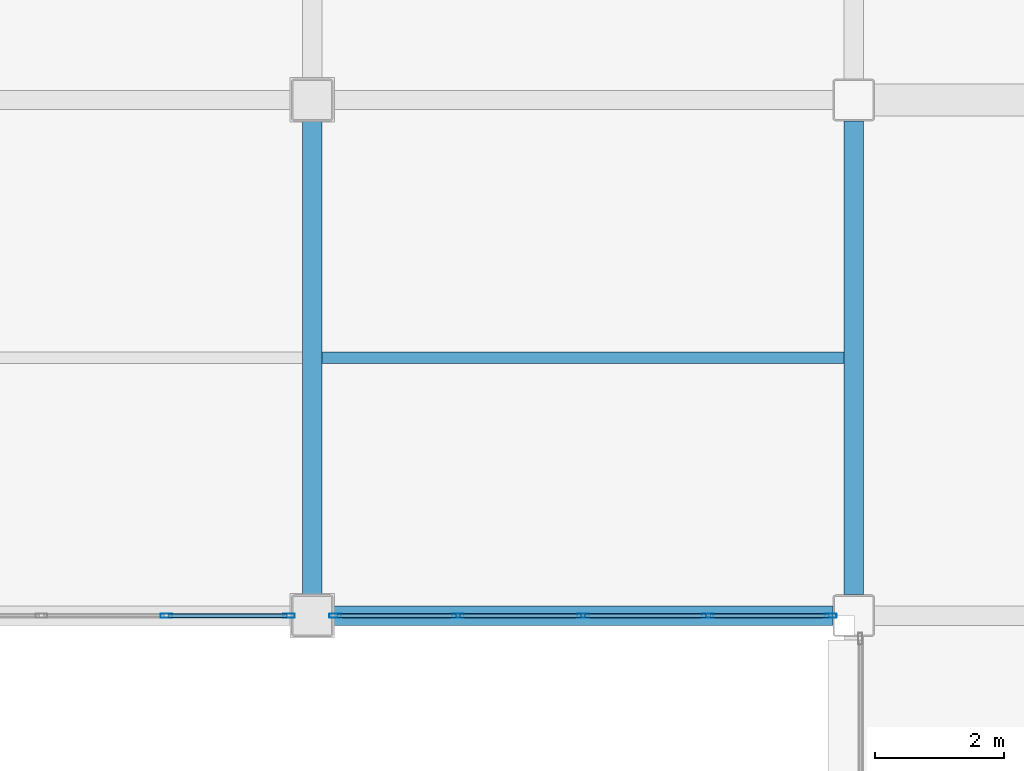
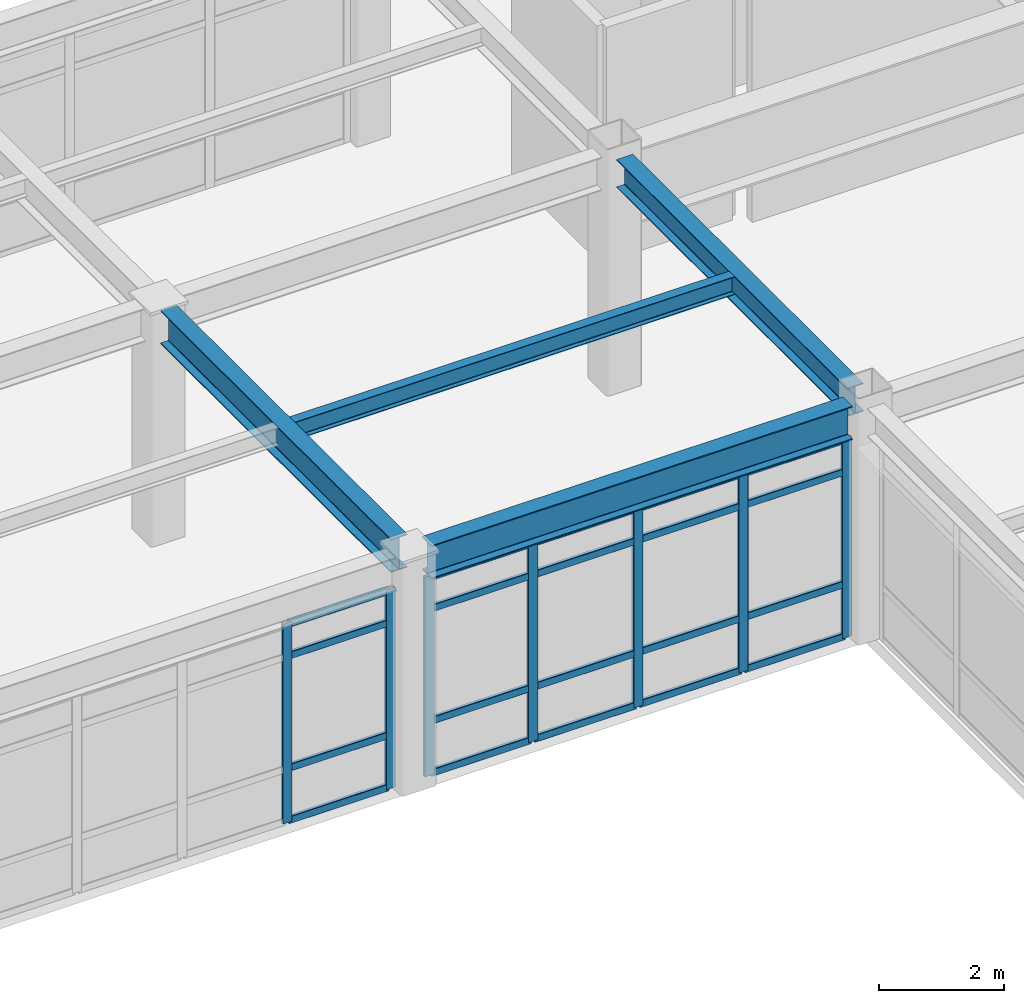
# One storey, part 50 of 93: 27 members, 4 beams, 2 elements without a shape of their own.
"""IFC4 building model written with IfcOpenShell, lengths in metres."""

from ifc_helpers import new_model, si_unit, direction, frame, origin, origin_2d, place, context, subcontext, project, spatial, hollow_rectangle, i_section, extrude, material, layer, layer_set, material_profile, profile_set, type_object, element, aggregate, save


model = new_model("IFC4")

# Units and contexts
model_context = context("Model", 3, precision=1e-05, world=origin(), true_north=direction((0.0, 1.0)))
body_context = subcontext(model_context, "Body", "Model", "MODEL_VIEW")
ifc_project = project(units=[si_unit("LENGTHUNIT", "METRE"), si_unit("AREAUNIT", "SQUARE_METRE"), si_unit("VOLUMEUNIT", "CUBIC_METRE"), si_unit("PLANEANGLEUNIT", "RADIAN"), si_unit("MASSUNIT", "GRAM", prefix="KILO")], contexts=[model_context])

# Site, building, storey
site_placement = place(None, origin())
site = spatial("IfcSite", under=ifc_project, at=site_placement, CompositionType="ELEMENT")
building_placement = place(site_placement, origin())
building = spatial("IfcBuilding", under=site, at=building_placement, Name="Kazehara Bluff Congress Hotel", CompositionType="ELEMENT")
storey_placement = place(building_placement, frame((0.0, 0.0, 15.0)))
storey = spatial("IfcBuildingStorey", under=building, at=storey_placement, Name="L03", CompositionType="ELEMENT", Elevation=15.0)

# Curtain wall, members
ifc_material_1 = material(Name="Anodised aluminium", Category="aluminium")
ifc_layer = layer(ifc_material_1, 0.159912109375)
ifc_layer_set = layer_set([ifc_layer], Name="Anodised aluminium")
curtain_wall_type = type_object("IfcCurtainWallType", Name="TP-CW-24", PredefinedType="NOTDEFINED", material=ifc_layer_set)
curtain_wall_1_placement = place(storey_placement, origin())
curtain_wall_1 = element("IfcCurtainWall", 1, at=curtain_wall_1_placement, inside=storey, type_object=curtain_wall_type, Name="L03 curtain wall CW-24 CW-V5-L03-Y1600-12722", PredefinedType="NOTDEFINED")
ifc_material_2 = material(Name="Anodised aluminium", Category="aluminium")
ifc_material_profile_1 = material_profile(ifc_material_2, hollow_rectangle(XDim=0.06494140625, YDim=0.179931640625, WallThickness=0.00390625, InnerFilletRadius=0.00390625, OuterFilletRadius=0.008056640625, at=origin_2d()))
ifc_profile_set_1 = profile_set([ifc_material_profile_1], Name="Anodised aluminium")
member_type_1 = type_object("IfcMemberType", Name="TP-CWM-02", PredefinedType="MULLION", material=ifc_profile_set_1)
member_1_placement = place(storey_placement, frame((133.03759765625, 16.0, 0.0), z_axis=(0.0, 0.0, 1.0), x_axis=(0.0, 1.0, 0.0)))
member_1 = element("IfcMember", 2, at=member_1_placement, type_object=member_type_1, Name="CW-24 mullion 4", PredefinedType="MULLION", context=body_context, shape_type="SweptSolid", body=[
    extrude(hollow_rectangle(XDim=0.06494140625, YDim=0.179931640625, WallThickness=0.00390625, InnerFilletRadius=0.00390625, OuterFilletRadius=0.008056640625, at=origin_2d()), origin(), (0.0, 0.0, 1.0), 3.885009765625),
])
member_2_placement = place(storey_placement, frame((134.9423828125, 16.0, 0.0), z_axis=(0.0, 0.0, 1.0), x_axis=(0.0, 1.0, 0.0)))
member_2 = element("IfcMember", 3, at=member_2_placement, type_object=member_type_1, Name="CW-24 mullion 5", PredefinedType="MULLION", context=body_context, shape_type="SweptSolid", body=[
    extrude(hollow_rectangle(XDim=0.06494140625, YDim=0.179931640625, WallThickness=0.00390625, InnerFilletRadius=0.00390625, OuterFilletRadius=0.008056640625, at=origin_2d()), origin(), (0.0, 0.0, 1.0), 3.885009765625),
])

curtain_wall_2_placement = place(storey_placement, origin())
curtain_wall_2 = element("IfcCurtainWall", 4, at=curtain_wall_2_placement, inside=storey, type_object=curtain_wall_type, Name="L03 curtain wall CW-24 CW-V5-L03-Y1600-13562", PredefinedType="NOTDEFINED")
member_3_placement = place(storey_placement, frame((135.657470703125, 16.0, 0.0), z_axis=(0.0, 0.0, 1.0), x_axis=(0.0, 1.0, 0.0)))
member_3 = element("IfcMember", 5, at=member_3_placement, type_object=member_type_1, Name="CW-24 mullion 1", PredefinedType="MULLION", context=body_context, shape_type="SweptSolid", body=[
    extrude(hollow_rectangle(XDim=0.06494140625, YDim=0.179931640625, WallThickness=0.00390625, InnerFilletRadius=0.00390625, OuterFilletRadius=0.008056640625, at=origin_2d()), origin(), (0.0, 0.0, 1.0), 3.885009765625),
])
member_4_placement = place(storey_placement, frame((137.5625, 16.0, 0.0), z_axis=(0.0, 0.0, 1.0), x_axis=(0.0, 1.0, 0.0)))
member_4 = element("IfcMember", 6, at=member_4_placement, type_object=member_type_1, Name="CW-24 mullion 2", PredefinedType="MULLION", context=body_context, shape_type="SweptSolid", body=[
    extrude(hollow_rectangle(XDim=0.06494140625, YDim=0.179931640625, WallThickness=0.00390625, InnerFilletRadius=0.00390625, OuterFilletRadius=0.008056640625, at=origin_2d()), origin(), (0.0, 0.0, 1.0), 3.885009765625),
])
member_5_placement = place(storey_placement, frame((139.5, 16.0, 0.0), z_axis=(0.0, 0.0, 1.0), x_axis=(0.0, 1.0, 0.0)))
member_5 = element("IfcMember", 7, at=member_5_placement, type_object=member_type_1, Name="CW-24 mullion 3", PredefinedType="MULLION", context=body_context, shape_type="SweptSolid", body=[
    extrude(hollow_rectangle(XDim=0.06494140625, YDim=0.179931640625, WallThickness=0.00390625, InnerFilletRadius=0.00390625, OuterFilletRadius=0.008056640625, at=origin_2d()), origin(), (0.0, 0.0, 1.0), 3.885009765625),
])
member_6_placement = place(storey_placement, frame((141.4375, 16.0, 0.0), z_axis=(0.0, 0.0, 1.0), x_axis=(0.0, 1.0, 0.0)))
member_6 = element("IfcMember", 8, at=member_6_placement, type_object=member_type_1, Name="CW-24 mullion 4", PredefinedType="MULLION", context=body_context, shape_type="SweptSolid", body=[
    extrude(hollow_rectangle(XDim=0.06494140625, YDim=0.179931640625, WallThickness=0.00390625, InnerFilletRadius=0.00390625, OuterFilletRadius=0.008056640625, at=origin_2d()), origin(), (0.0, 0.0, 1.0), 3.885009765625),
])
member_7_placement = place(storey_placement, frame((143.342529296875, 16.0, 0.0), z_axis=(0.0, 0.0, 1.0), x_axis=(0.0, 1.0, 0.0)))
member_7 = element("IfcMember", 9, at=member_7_placement, type_object=member_type_1, Name="CW-24 mullion 5", PredefinedType="MULLION", context=body_context, shape_type="SweptSolid", body=[
    extrude(hollow_rectangle(XDim=0.06494140625, YDim=0.179931640625, WallThickness=0.00390625, InnerFilletRadius=0.00390625, OuterFilletRadius=0.008056640625, at=origin_2d()), origin(), (0.0, 0.0, 1.0), 3.885009765625),
])

# Member
ifc_material_3 = material(Name="Anodised aluminium", Category="aluminium")
ifc_material_profile_2 = material_profile(ifc_material_3, hollow_rectangle(XDim=0.06494140625, YDim=0.139892578125, WallThickness=0.00390625, InnerFilletRadius=0.00390625, OuterFilletRadius=0.008056640625, at=origin_2d()))
ifc_profile_set_2 = profile_set([ifc_material_profile_2], Name="Anodised aluminium")
member_type_2 = type_object("IfcMemberType", Name="TP-CWT-02", PredefinedType="USERDEFINED", material=ifc_profile_set_2)
member_8_placement = place(storey_placement, frame((133.070068359375, 16.0, 0.032470703125), z_axis=(1.0, 0.0, 0.0), x_axis=(0.0, 1.0, 0.0)))
member_8 = element("IfcMember", 10, at=member_8_placement, type_object=member_type_2, Name="CW-24 transom 4.1", ObjectType="TRANSOM", PredefinedType="USERDEFINED", context=body_context, shape_type="SweptSolid", body=[
    extrude(hollow_rectangle(XDim=0.06494140625, YDim=0.139892578125, WallThickness=0.00390625, InnerFilletRadius=0.00390625, OuterFilletRadius=0.008056640625, at=origin_2d()), origin(), (0.0, 0.0, 1.0), 1.83984375),
])

member_9_placement = place(storey_placement, frame((133.070068359375, 16.0, 1.050048828125), z_axis=(1.0, 0.0, 0.0), x_axis=(0.0, 1.0, 0.0)))
member_9 = element("IfcMember", 11, at=member_9_placement, type_object=member_type_2, Name="CW-24 transom 4.2", ObjectType="TRANSOM", PredefinedType="USERDEFINED", context=body_context, shape_type="SweptSolid", body=[
    extrude(hollow_rectangle(XDim=0.06494140625, YDim=0.139892578125, WallThickness=0.00390625, InnerFilletRadius=0.00390625, OuterFilletRadius=0.008056640625, at=origin_2d()), origin(), (0.0, 0.0, 1.0), 1.83984375),
])

member_10_placement = place(storey_placement, frame((133.070068359375, 16.0, 3.235107421875), z_axis=(1.0, 0.0, 0.0), x_axis=(0.0, 1.0, 0.0)))
member_10 = element("IfcMember", 12, at=member_10_placement, type_object=member_type_2, Name="CW-24 transom 4.3", ObjectType="TRANSOM", PredefinedType="USERDEFINED", context=body_context, shape_type="SweptSolid", body=[
    extrude(hollow_rectangle(XDim=0.06494140625, YDim=0.139892578125, WallThickness=0.00390625, InnerFilletRadius=0.00390625, OuterFilletRadius=0.008056640625, at=origin_2d()), origin(), (0.0, 0.0, 1.0), 1.83984375),
])

member_11_placement = place(storey_placement, frame((133.070068359375, 16.0, 3.8525390625), z_axis=(1.0, 0.0, 0.0), x_axis=(0.0, 1.0, 0.0)))
member_11 = element("IfcMember", 13, at=member_11_placement, type_object=member_type_2, Name="CW-24 transom 4.4", ObjectType="TRANSOM", PredefinedType="USERDEFINED", context=body_context, shape_type="SweptSolid", body=[
    extrude(hollow_rectangle(XDim=0.06494140625, YDim=0.139892578125, WallThickness=0.00390625, InnerFilletRadius=0.00390625, OuterFilletRadius=0.008056640625, at=origin_2d()), origin(), (0.0, 0.0, 1.0), 1.83984375),
])

aggregate(curtain_wall_1, [member_1, member_2, member_8, member_9, member_10, member_11])

member_12_placement = place(storey_placement, frame((135.68994140625, 16.0, 0.032470703125), z_axis=(1.0, 0.0, 0.0), x_axis=(0.0, 1.0, 0.0)))
member_12 = element("IfcMember", 14, at=member_12_placement, type_object=member_type_2, Name="CW-24 transom 1.1", ObjectType="TRANSOM", PredefinedType="USERDEFINED", context=body_context, shape_type="SweptSolid", body=[
    extrude(hollow_rectangle(XDim=0.06494140625, YDim=0.139892578125, WallThickness=0.00390625, InnerFilletRadius=0.00390625, OuterFilletRadius=0.008056640625, at=origin_2d()), origin(), (0.0, 0.0, 1.0), 1.840087890625),
])

member_13_placement = place(storey_placement, frame((135.68994140625, 16.0, 1.050048828125), z_axis=(1.0, 0.0, 0.0), x_axis=(0.0, 1.0, 0.0)))
member_13 = element("IfcMember", 15, at=member_13_placement, type_object=member_type_2, Name="CW-24 transom 1.2", ObjectType="TRANSOM", PredefinedType="USERDEFINED", context=body_context, shape_type="SweptSolid", body=[
    extrude(hollow_rectangle(XDim=0.06494140625, YDim=0.139892578125, WallThickness=0.00390625, InnerFilletRadius=0.00390625, OuterFilletRadius=0.008056640625, at=origin_2d()), origin(), (0.0, 0.0, 1.0), 1.840087890625),
])

member_14_placement = place(storey_placement, frame((135.68994140625, 16.0, 3.235107421875), z_axis=(1.0, 0.0, 0.0), x_axis=(0.0, 1.0, 0.0)))
member_14 = element("IfcMember", 16, at=member_14_placement, type_object=member_type_2, Name="CW-24 transom 1.3", ObjectType="TRANSOM", PredefinedType="USERDEFINED", context=body_context, shape_type="SweptSolid", body=[
    extrude(hollow_rectangle(XDim=0.06494140625, YDim=0.139892578125, WallThickness=0.00390625, InnerFilletRadius=0.00390625, OuterFilletRadius=0.008056640625, at=origin_2d()), origin(), (0.0, 0.0, 1.0), 1.840087890625),
])

member_15_placement = place(storey_placement, frame((135.68994140625, 16.0, 3.8525390625), z_axis=(1.0, 0.0, 0.0), x_axis=(0.0, 1.0, 0.0)))
member_15 = element("IfcMember", 17, at=member_15_placement, type_object=member_type_2, Name="CW-24 transom 1.4", ObjectType="TRANSOM", PredefinedType="USERDEFINED", context=body_context, shape_type="SweptSolid", body=[
    extrude(hollow_rectangle(XDim=0.06494140625, YDim=0.139892578125, WallThickness=0.00390625, InnerFilletRadius=0.00390625, OuterFilletRadius=0.008056640625, at=origin_2d()), origin(), (0.0, 0.0, 1.0), 1.840087890625),
])

member_16_placement = place(storey_placement, frame((137.594970703125, 16.0, 0.032470703125), z_axis=(1.0, 0.0, 0.0), x_axis=(0.0, 1.0, 0.0)))
member_16 = element("IfcMember", 18, at=member_16_placement, type_object=member_type_2, Name="CW-24 transom 2.1", ObjectType="TRANSOM", PredefinedType="USERDEFINED", context=body_context, shape_type="SweptSolid", body=[
    extrude(hollow_rectangle(XDim=0.06494140625, YDim=0.139892578125, WallThickness=0.00390625, InnerFilletRadius=0.00390625, OuterFilletRadius=0.008056640625, at=origin_2d()), origin(), (0.0, 0.0, 1.0), 1.87255859375),
])

member_17_placement = place(storey_placement, frame((137.594970703125, 16.0, 1.050048828125), z_axis=(1.0, 0.0, 0.0), x_axis=(0.0, 1.0, 0.0)))
member_17 = element("IfcMember", 19, at=member_17_placement, type_object=member_type_2, Name="CW-24 transom 2.2", ObjectType="TRANSOM", PredefinedType="USERDEFINED", context=body_context, shape_type="SweptSolid", body=[
    extrude(hollow_rectangle(XDim=0.06494140625, YDim=0.139892578125, WallThickness=0.00390625, InnerFilletRadius=0.00390625, OuterFilletRadius=0.008056640625, at=origin_2d()), origin(), (0.0, 0.0, 1.0), 1.87255859375),
])

member_18_placement = place(storey_placement, frame((137.594970703125, 16.0, 3.235107421875), z_axis=(1.0, 0.0, 0.0), x_axis=(0.0, 1.0, 0.0)))
member_18 = element("IfcMember", 20, at=member_18_placement, type_object=member_type_2, Name="CW-24 transom 2.3", ObjectType="TRANSOM", PredefinedType="USERDEFINED", context=body_context, shape_type="SweptSolid", body=[
    extrude(hollow_rectangle(XDim=0.06494140625, YDim=0.139892578125, WallThickness=0.00390625, InnerFilletRadius=0.00390625, OuterFilletRadius=0.008056640625, at=origin_2d()), origin(), (0.0, 0.0, 1.0), 1.87255859375),
])

member_19_placement = place(storey_placement, frame((137.594970703125, 16.0, 3.8525390625), z_axis=(1.0, 0.0, 0.0), x_axis=(0.0, 1.0, 0.0)))
member_19 = element("IfcMember", 21, at=member_19_placement, type_object=member_type_2, Name="CW-24 transom 2.4", ObjectType="TRANSOM", PredefinedType="USERDEFINED", context=body_context, shape_type="SweptSolid", body=[
    extrude(hollow_rectangle(XDim=0.06494140625, YDim=0.139892578125, WallThickness=0.00390625, InnerFilletRadius=0.00390625, OuterFilletRadius=0.008056640625, at=origin_2d()), origin(), (0.0, 0.0, 1.0), 1.87255859375),
])

member_20_placement = place(storey_placement, frame((139.532470703125, 16.0, 0.032470703125), z_axis=(1.0, 0.0, 0.0), x_axis=(0.0, 1.0, 0.0)))
member_20 = element("IfcMember", 22, at=member_20_placement, type_object=member_type_2, Name="CW-24 transom 3.1", ObjectType="TRANSOM", PredefinedType="USERDEFINED", context=body_context, shape_type="SweptSolid", body=[
    extrude(hollow_rectangle(XDim=0.06494140625, YDim=0.139892578125, WallThickness=0.00390625, InnerFilletRadius=0.00390625, OuterFilletRadius=0.008056640625, at=origin_2d()), origin(), (0.0, 0.0, 1.0), 1.87255859375),
])

member_21_placement = place(storey_placement, frame((139.532470703125, 16.0, 1.050048828125), z_axis=(1.0, 0.0, 0.0), x_axis=(0.0, 1.0, 0.0)))
member_21 = element("IfcMember", 23, at=member_21_placement, type_object=member_type_2, Name="CW-24 transom 3.2", ObjectType="TRANSOM", PredefinedType="USERDEFINED", context=body_context, shape_type="SweptSolid", body=[
    extrude(hollow_rectangle(XDim=0.06494140625, YDim=0.139892578125, WallThickness=0.00390625, InnerFilletRadius=0.00390625, OuterFilletRadius=0.008056640625, at=origin_2d()), origin(), (0.0, 0.0, 1.0), 1.87255859375),
])

member_22_placement = place(storey_placement, frame((139.532470703125, 16.0, 3.235107421875), z_axis=(1.0, 0.0, 0.0), x_axis=(0.0, 1.0, 0.0)))
member_22 = element("IfcMember", 24, at=member_22_placement, type_object=member_type_2, Name="CW-24 transom 3.3", ObjectType="TRANSOM", PredefinedType="USERDEFINED", context=body_context, shape_type="SweptSolid", body=[
    extrude(hollow_rectangle(XDim=0.06494140625, YDim=0.139892578125, WallThickness=0.00390625, InnerFilletRadius=0.00390625, OuterFilletRadius=0.008056640625, at=origin_2d()), origin(), (0.0, 0.0, 1.0), 1.87255859375),
])

member_23_placement = place(storey_placement, frame((139.532470703125, 16.0, 3.8525390625), z_axis=(1.0, 0.0, 0.0), x_axis=(0.0, 1.0, 0.0)))
member_23 = element("IfcMember", 25, at=member_23_placement, type_object=member_type_2, Name="CW-24 transom 3.4", ObjectType="TRANSOM", PredefinedType="USERDEFINED", context=body_context, shape_type="SweptSolid", body=[
    extrude(hollow_rectangle(XDim=0.06494140625, YDim=0.139892578125, WallThickness=0.00390625, InnerFilletRadius=0.00390625, OuterFilletRadius=0.008056640625, at=origin_2d()), origin(), (0.0, 0.0, 1.0), 1.87255859375),
])

member_24_placement = place(storey_placement, frame((141.469970703125, 16.0, 0.032470703125), z_axis=(1.0, 0.0, 0.0), x_axis=(0.0, 1.0, 0.0)))
member_24 = element("IfcMember", 26, at=member_24_placement, type_object=member_type_2, Name="CW-24 transom 4.1", ObjectType="TRANSOM", PredefinedType="USERDEFINED", context=body_context, shape_type="SweptSolid", body=[
    extrude(hollow_rectangle(XDim=0.06494140625, YDim=0.139892578125, WallThickness=0.00390625, InnerFilletRadius=0.00390625, OuterFilletRadius=0.008056640625, at=origin_2d()), origin(), (0.0, 0.0, 1.0), 1.840087890625),
])

member_25_placement = place(storey_placement, frame((141.469970703125, 16.0, 1.050048828125), z_axis=(1.0, 0.0, 0.0), x_axis=(0.0, 1.0, 0.0)))
member_25 = element("IfcMember", 27, at=member_25_placement, type_object=member_type_2, Name="CW-24 transom 4.2", ObjectType="TRANSOM", PredefinedType="USERDEFINED", context=body_context, shape_type="SweptSolid", body=[
    extrude(hollow_rectangle(XDim=0.06494140625, YDim=0.139892578125, WallThickness=0.00390625, InnerFilletRadius=0.00390625, OuterFilletRadius=0.008056640625, at=origin_2d()), origin(), (0.0, 0.0, 1.0), 1.840087890625),
])

member_26_placement = place(storey_placement, frame((141.469970703125, 16.0, 3.235107421875), z_axis=(1.0, 0.0, 0.0), x_axis=(0.0, 1.0, 0.0)))
member_26 = element("IfcMember", 28, at=member_26_placement, type_object=member_type_2, Name="CW-24 transom 4.3", ObjectType="TRANSOM", PredefinedType="USERDEFINED", context=body_context, shape_type="SweptSolid", body=[
    extrude(hollow_rectangle(XDim=0.06494140625, YDim=0.139892578125, WallThickness=0.00390625, InnerFilletRadius=0.00390625, OuterFilletRadius=0.008056640625, at=origin_2d()), origin(), (0.0, 0.0, 1.0), 1.840087890625),
])

member_27_placement = place(storey_placement, frame((141.469970703125, 16.0, 3.8525390625), z_axis=(1.0, 0.0, 0.0), x_axis=(0.0, 1.0, 0.0)))
member_27 = element("IfcMember", 29, at=member_27_placement, type_object=member_type_2, Name="CW-24 transom 4.4", ObjectType="TRANSOM", PredefinedType="USERDEFINED", context=body_context, shape_type="SweptSolid", body=[
    extrude(hollow_rectangle(XDim=0.06494140625, YDim=0.139892578125, WallThickness=0.00390625, InnerFilletRadius=0.00390625, OuterFilletRadius=0.008056640625, at=origin_2d()), origin(), (0.0, 0.0, 1.0), 1.840087890625),
])

aggregate(curtain_wall_2, [member_3, member_4, member_5, member_6, member_7, member_12, member_13, member_14, member_15, member_16, member_17, member_18, member_19, member_20, member_21, member_22, member_23, member_24, member_25, member_26, member_27])

# Beams
ifc_material_4 = material(Name="Steel SN490B", Category="steel")
ifc_material_profile_3 = material_profile(ifc_material_4, i_section(OverallWidth=0.300048828125, OverallDepth=0.64990234375, WebThickness=0.011962890625, FlangeThickness=0.02001953125, FilletRadius=0.012939453125, at=origin_2d()))
ifc_profile_set_3 = profile_set([ifc_material_profile_3], Name="Steel SN490B")
beam_type_1 = type_object("IfcBeamType", Name="TP-G-03", PredefinedType="BEAM", material=ifc_profile_set_3)
beam_1_placement = place(storey_placement, frame((135.300048828125, 16.324951171875, 4.235107421875), z_axis=(0.0, 1.0, 0.0), x_axis=(-1.0, 0.0, 0.0)))
element("IfcBeam", 30, at=beam_1_placement, inside=storey, type_object=beam_type_1, Name="L03 girder G-03 107", PredefinedType="BEAM", context=body_context, shape_type="SweptSolid", body=[
    extrude(i_section(OverallWidth=0.300048828125, OverallDepth=0.64990234375, WebThickness=0.011962890625, FlangeThickness=0.02001953125, FilletRadius=0.012939453125, at=origin_2d()), origin(), (0.0, 0.0, 1.0), 7.35009765625),
])
beam_2_placement = place(storey_placement, frame((135.625, 16.0, 4.235107421875), z_axis=(1.0, 0.0, 0.0), x_axis=(0.0, 1.0, 0.0)))
element("IfcBeam", 31, at=beam_2_placement, inside=storey, type_object=beam_type_1, Name="L03 girder G-03 160", PredefinedType="BEAM", context=body_context, shape_type="SweptSolid", body=[
    extrude(i_section(OverallWidth=0.300048828125, OverallDepth=0.64990234375, WebThickness=0.011962890625, FlangeThickness=0.02001953125, FilletRadius=0.012939453125, at=origin_2d()), origin(), (0.0, 0.0, 1.0), 7.75),
])
ifc_material_5 = material(Name="Steel SN400B", Category="steel")
ifc_material_profile_4 = material_profile(ifc_material_5, i_section(OverallWidth=0.175048828125, OverallDepth=0.35009765625, WebThickness=0.007080078125, FlangeThickness=0.010986328125, FilletRadius=0.012939453125, at=origin_2d()))
ifc_profile_set_4 = profile_set([ifc_material_profile_4], Name="Steel SN400B")
beam_type_2 = type_object("IfcBeamType", Name="TP-J-02", PredefinedType="JOIST", material=ifc_profile_set_4)
beam_3_placement = place(storey_placement, frame((135.449951171875, 20.0, 4.385009765625), z_axis=(1.0, 0.0, 0.0), x_axis=(0.0, 1.0, 0.0)))
element("IfcBeam", 32, at=beam_3_placement, inside=storey, type_object=beam_type_2, Name="L03 secondary joist J-02 28", PredefinedType="JOIST", context=body_context, shape_type="SweptSolid", body=[
    extrude(i_section(OverallWidth=0.175048828125, OverallDepth=0.35009765625, WebThickness=0.007080078125, FlangeThickness=0.010986328125, FilletRadius=0.012939453125, at=origin_2d()), origin(), (0.0, 0.0, 1.0), 8.10009765625),
])
ifc_material_6 = material(Name="Steel SN490B", Category="steel")
ifc_material_profile_5 = material_profile(ifc_material_6, i_section(OverallWidth=0.300048828125, OverallDepth=0.550048828125, WebThickness=0.010986328125, FlangeThickness=0.01806640625, FilletRadius=0.012939453125, at=origin_2d()))
ifc_profile_set_5 = profile_set([ifc_material_profile_5], Name="Steel SN490B")
beam_type_3 = type_object("IfcBeamType", Name="TP-SP-01", PredefinedType="SPANDREL", material=ifc_profile_set_5)
beam_4_placement = place(storey_placement, frame((143.699951171875, 16.324951171875, 4.284912109375), z_axis=(0.0, 1.0, 0.0), x_axis=(-1.0, 0.0, 0.0)))
element("IfcBeam", 33, at=beam_4_placement, inside=storey, type_object=beam_type_3, Name="L03 girder SP-01 111", PredefinedType="SPANDREL", context=body_context, shape_type="SweptSolid", body=[
    extrude(i_section(OverallWidth=0.300048828125, OverallDepth=0.550048828125, WebThickness=0.010986328125, FlangeThickness=0.01806640625, FilletRadius=0.012939453125, at=origin_2d()), origin(), (0.0, 0.0, 1.0), 7.35009765625),
])

save(model, "model.ifc")
